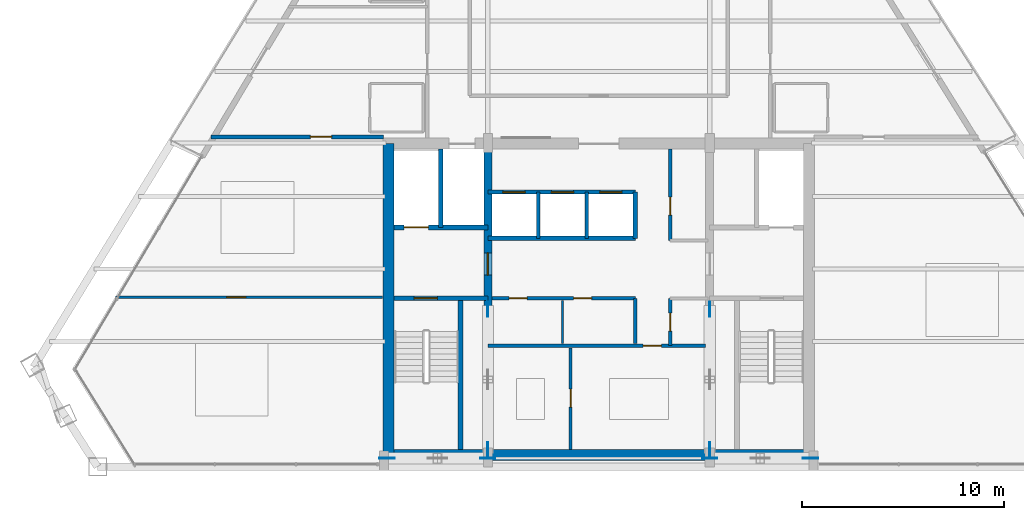
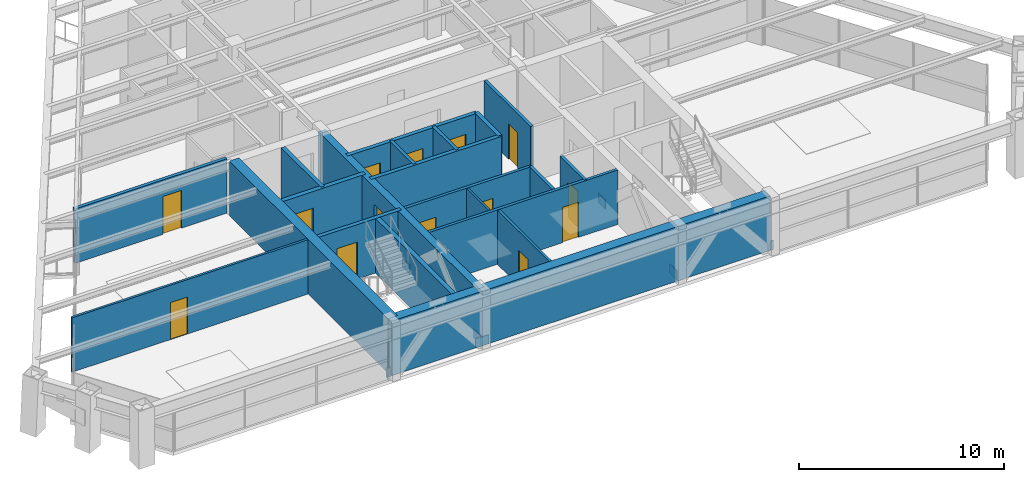
# One storey, part 8 of 12: 21 walls, 14 doors, 8 plates, 14 openings.
"""IFC4 building model written with IfcOpenShell, lengths in metres."""

from ifc_helpers import new_model, si_unit, direction, frame, frame_2d, origin, origin_2d, place, context, subcontext, project, spatial, rectangle, extrude, source, transform, mapped, material, layer, layer_set, type_object, type_shapes, element, fill, save


model = new_model("IFC4")

# Units and contexts
model_context = context("Model", 3, precision=1e-05, world=origin(), true_north=direction((0.0, 1.0)))
body_context = subcontext(model_context, "Body", "Model", "MODEL_VIEW")
ifc_project = project(units=[si_unit("LENGTHUNIT", "METRE"), si_unit("AREAUNIT", "SQUARE_METRE"), si_unit("VOLUMEUNIT", "CUBIC_METRE"), si_unit("PLANEANGLEUNIT", "RADIAN"), si_unit("MASSUNIT", "GRAM", prefix="KILO")], contexts=[model_context])

# Site, building, storey
site_placement = place(None, origin())
site = spatial("IfcSite", under=ifc_project, at=site_placement, CompositionType="ELEMENT")
building_placement = place(site_placement, origin())
building = spatial("IfcBuilding", under=site, at=building_placement, Name="Varnakhor Terracotta Tower", CompositionType="ELEMENT")
storey_placement = place(building_placement, frame((0.0, 0.0, 226.89990234375)))
storey = spatial("IfcBuildingStorey", under=building, at=storey_placement, Name="L58", CompositionType="ELEMENT", Elevation=226.89990234375)

# Plates
ifc_material_1 = material(Name="Steel S460", Category="steel")
ifc_layer_1 = layer(ifc_material_1, 0.050048828125, Name="Steel S460")
ifc_layer_set_1 = layer_set([ifc_layer_1], Name="Steel S460")
plate_type = type_object("IfcPlateType", Name="PLT-GUSSET-50", PredefinedType="USERDEFINED", material=ifc_layer_set_1)
shared_shape_1 = source(origin(), body_context, "Body", "SweptSolid", [
    extrude(rectangle(XDim=0.75, YDim=0.0400390625, at=origin_2d()), origin(), (0.0, 0.0, 1.0), 0.550048828125),
])
type_shapes(plate_type, [shared_shape_1])
for number, where, z_axis, x_axis, name in (
    (1, (-10.5, 0.419921875, -0.0947265625), (0.0, 0.0, 1.0), (1.0, 0.0, 0.0), "L58 Core Brace Embed Plate CSWA"),
    (2, (-5.5, 0.419921875, -0.0947265625), (0.0, 0.0, 1.0), (1.0, 0.0, 0.0), "L58 Core Brace Embed Plate CSWB"),
    (3, (5.5, 0.419921875, -0.0947265625), (0.0, 0.0, 1.0), (1.0, 0.0, 0.0), "L58 Core Brace Embed Plate CSEA"),
    (4, (10.5, 0.419921875, -0.0947265625), (0.0, 0.0, 1.0), (1.0, 0.0, 0.0), "L58 Core Brace Embed Plate CSEB"),
    (5, (-5.5, 0.85009765625, -0.0947265625), (0.0, 0.0, 1.0), (0.0, 1.0, 0.0), "L58 Core Brace Embed Plate CWWA"),
    (6, (-5.5, 7.800048828125, -0.0947265625), (0.0, 0.0, 1.0), (0.0, 1.0, 0.0), "L58 Core Brace Embed Plate CWWB"),
    (7, (5.5, 0.85009765625, -0.0947265625), (0.0, 0.0, 1.0), (0.0, 1.0, 0.0), "L58 Core Brace Embed Plate CWEA"),
    (8, (5.5, 7.800048828125, -0.0947265625), (0.0, 0.0, 1.0), (0.0, 1.0, 0.0), "L58 Core Brace Embed Plate CWEB"),
):
    element("IfcPlate", number, at=place(storey_placement, frame(where, z_axis=z_axis, x_axis=x_axis)), inside=storey, type_object=plate_type, Name=name, ObjectType="GUSSET PLATE", PredefinedType="USERDEFINED", context=body_context, shape_type="MappedRepresentation", body=[
        mapped(shared_shape_1, transform((0.0, 0.0, 0.0), scale=1.0)),
    ])

# Walls
ifc_material_2 = material(Name="Concrete C50/60", Category="concrete")
ifc_layer_2 = layer(ifc_material_2, 0.550048828125, Name="Concrete C50/60")
ifc_layer_set_2 = layer_set([ifc_layer_2], Name="Concrete C50/60")
wall_type_1 = type_object("IfcWallType", Name="WAL-CORE-550", PredefinedType="SHEAR", material=ifc_layer_set_2)
wall_1_placement = place(storey_placement, frame((-10.64990234375, 0.574951171875, 0.0), z_axis=(0.0, 0.0, 1.0), x_axis=(1.0, 0.0, 0.0)))
element("IfcWall", 9, at=wall_1_placement, inside=storey, type_object=wall_type_1, Name="L58 South Core Shear Wall", PredefinedType="SHEAR", context=body_context, shape_type="SweptSolid", body=[
    extrude(rectangle(XDim=21.2998046875, YDim=0.550048828125, at=frame_2d((10.64990234375, 0.0))), origin(), (0.0, 0.0, 1.0), 3.239990234375),
])
wall_2_placement = place(storey_placement, frame((-10.425048828125, 0.574951171875, 0.0), z_axis=(0.0, 0.0, 1.0), x_axis=(0.0, 1.0, 0.0)))
element("IfcWall", 10, at=wall_2_placement, inside=storey, type_object=wall_type_1, Name="L58 West Core Shear Wall", PredefinedType="SHEAR", context=body_context, shape_type="SweptSolid", body=[
    extrude(rectangle(XDim=15.449951171875, YDim=0.550048828125, at=frame_2d((7.72509765625, 0.0))), origin(), (0.0, 0.0, 1.0), 3.239990234375),
])

# Wall, opening, door
ifc_layer_3 = layer(ifc_material_2, 0.39990234375, Name="Concrete C50/60")
ifc_layer_set_3 = layer_set([ifc_layer_3], Name="Concrete C50/60")
wall_type_2 = type_object("IfcWallType", Name="WAL-CORE-WEB-400", PredefinedType="SHEAR", material=ifc_layer_set_3)
wall_3_placement = place(storey_placement, frame((-5.5, 0.574951171875, 0.0), z_axis=(0.0, 0.0, 1.0), x_axis=(0.0, 1.0, 0.0)))
wall_3 = element("IfcWall", 11, at=wall_3_placement, inside=storey, type_object=wall_type_2, Name="L58 West Core Web Shear Wall", PredefinedType="SHEAR", context=body_context, shape_type="SweptSolid", body=[
    extrude(rectangle(XDim=15.449951171875, YDim=0.39990234375, at=frame_2d((7.72509765625, 0.0))), origin(), (0.0, 0.0, 1.0), 3.239990234375),
])
opening_1_placement = place(wall_3_placement, frame((8.925048828125, 0.0, 0.0)))
opening_1 = element("IfcOpeningElement", 12, at=opening_1_placement, cuts=wall_3, Name="Opening DR-25", PredefinedType="OPENING", context=body_context, shape_type="SweptSolid", body=[
    extrude(rectangle(XDim=1.10009765625, YDim=2.199951171875, at=frame_2d((0.550048828125, 1.10009765625))), frame((0.0, 0.2099609375, 0.0), z_axis=(0.0, -1.0, 0.0), x_axis=(1.0, 0.0, 0.0)), (0.0, 0.0, 1.0), 0.419921875),
])
ifc_material_3 = material(Name="Firefighting Lobby Self-Closing Fire Door", Category="steel")
door_type_1 = type_object("IfcDoorType", Name="DR-FFL-1100X2200", OperationType="NOTDEFINED", PredefinedType="DOOR", material=ifc_material_3)
shared_shape_2 = source(origin(), body_context, "Body", "SweptSolid", [
    extrude(rectangle(XDim=1.10009765625, YDim=2.199951171875, at=frame_2d((0.550048828125, 1.10009765625))), frame((0.0, 0.02490234375, 0.0), z_axis=(0.0, -1.0, 0.0), x_axis=(1.0, 0.0, 0.0)), (0.0, 0.0, 1.0), 0.050048828125),
])
type_shapes(door_type_1, [shared_shape_2])
door_1_placement = place(opening_1_placement, origin())
door_1 = element("IfcDoor", 13, at=door_1_placement, inside=storey, type_object=door_type_1, Name="L58 West Firefighting Lobby Door", OperationType="SINGLE_SWING_RIGHT", OverallHeight=2.199951171875, OverallWidth=1.10009765625, PredefinedType="DOOR", context=body_context, shape_type="MappedRepresentation", body=[
    mapped(shared_shape_2, transform((0.0, 0.0, 0.0), scale=1.0)),
])
fill(opening_1, door_1)

ifc_material_4 = material(Name="Fire-Rated Gypsum Stud Partition", Category="gypsum")
ifc_layer_4 = layer(ifc_material_4, 0.18505859375, Name="Fire-Rated Gypsum Stud Partition")
ifc_layer_set_4 = layer_set([ifc_layer_4], Name="Fire-Rated Gypsum Stud Partition")
wall_type_3 = type_object("IfcWallType", Name="WAL-CORR-185", PredefinedType="PARTITIONING", material=ifc_layer_set_4)
wall_4_placement = place(storey_placement, frame((-19.236328125, 16.35009765625, 0.0), z_axis=(0.0, 0.0, 1.0), x_axis=(1.0, 0.0, 0.0)))
wall_4 = element("IfcWall", 14, at=wall_4_placement, inside=storey, type_object=wall_type_3, Name="L58 South West Guest Entry Wall", PredefinedType="PARTITIONING", context=body_context, shape_type="SweptSolid", body=[
    extrude(rectangle(XDim=8.556396484375, YDim=0.18505859375, at=frame_2d((4.2783203125, 0.0))), origin(), (0.0, 0.0, 1.0), 3.232177734375),
])
opening_2_placement = place(wall_4_placement, frame((4.9345703125, 0.0, 0.0)))
opening_2 = element("IfcOpeningElement", 15, at=opening_2_placement, cuts=wall_4, Name="Opening DR-95", PredefinedType="OPENING", context=body_context, shape_type="SweptSolid", body=[
    extrude(rectangle(XDim=1.050048828125, YDim=2.25, at=frame_2d((0.52490234375, 1.125))), frame((0.0, 0.1025390625, 0.0), z_axis=(0.0, -1.0, 0.0), x_axis=(1.0, 0.0, 0.0)), (0.0, 0.0, 1.0), 0.205078125),
])
ifc_material_5 = material(Name="Solid-Core Timber Tenant/Hotel Entrance Door", Category="wood")
door_type_2 = type_object("IfcDoorType", Name="DR-SUITE-1050X2250", OperationType="NOTDEFINED", PredefinedType="DOOR", material=ifc_material_5)
shared_shape_3 = source(origin(), body_context, "Body", "SweptSolid", [
    extrude(rectangle(XDim=1.050048828125, YDim=2.25, at=frame_2d((0.52490234375, 1.125))), frame((0.0, 0.02490234375, 0.0), z_axis=(0.0, -1.0, 0.0), x_axis=(1.0, 0.0, 0.0)), (0.0, 0.0, 1.0), 0.050048828125),
])
type_shapes(door_type_2, [shared_shape_3])
door_2_placement = place(opening_2_placement, origin())
door_2 = element("IfcDoor", 16, at=door_2_placement, inside=storey, type_object=door_type_2, Name="L58 SW Suite Entry Door", OperationType="SINGLE_SWING_LEFT", OverallHeight=2.25, OverallWidth=1.050048828125, PredefinedType="DOOR", context=body_context, shape_type="MappedRepresentation", body=[
    mapped(shared_shape_3, transform((0.0, 0.0, 0.0), scale=1.0)),
])
fill(opening_2, door_2)

ifc_material_6 = material(Name="Concrete C40/50", Category="concrete")
ifc_layer_5 = layer(ifc_material_6, 0.219970703125, Name="Concrete C40/50")
ifc_layer_set_5 = layer_set([ifc_layer_5], Name="Concrete C40/50")
wall_type_4 = type_object("IfcWallType", Name="WAL-FFLOBBY-220", PredefinedType="SOLIDWALL", material=ifc_layer_set_5)
wall_5_placement = place(storey_placement, frame((-5.5, 8.35009765625, 0.0), z_axis=(0.0, 0.0, 1.0), x_axis=(-1.0, 0.0, 0.0)))
wall_5 = element("IfcWall", 17, at=wall_5_placement, inside=storey, type_object=wall_type_4, Name="L58 West Firefighting Lobby Stair Wall", PredefinedType="SOLIDWALL", context=body_context, shape_type="SweptSolid", body=[
    extrude(rectangle(XDim=4.64990234375, YDim=0.219970703125, at=frame_2d((2.324951171875, 0.0))), origin(), (0.0, 0.0, 1.0), 3.239990234375),
])
opening_3_placement = place(wall_5_placement, frame((2.5, 0.0, 0.0)))
opening_3 = element("IfcOpeningElement", 18, at=opening_3_placement, cuts=wall_5, Name="Opening DR-34", PredefinedType="OPENING", context=body_context, shape_type="SweptSolid", body=[
    extrude(rectangle(XDim=1.14990234375, YDim=2.199951171875, at=frame_2d((0.574951171875, 1.10009765625))), frame((0.0, 0.1201171875, 0.0), z_axis=(0.0, -1.0, 0.0), x_axis=(1.0, 0.0, 0.0)), (0.0, 0.0, 1.0), 0.239990234375),
])
ifc_material_7 = material(Name="Self-Closing Smoke-Sealed Steel Fire Door", Category="steel")
door_type_3 = type_object("IfcDoorType", Name="DR-STAIR-1150X2200", OperationType="NOTDEFINED", PredefinedType="DOOR", material=ifc_material_7)
shared_shape_4 = source(origin(), body_context, "Body", "SweptSolid", [
    extrude(rectangle(XDim=1.14990234375, YDim=2.199951171875, at=frame_2d((0.574951171875, 1.10009765625))), frame((0.0, 0.02490234375, 0.0), z_axis=(0.0, -1.0, 0.0), x_axis=(1.0, 0.0, 0.0)), (0.0, 0.0, 1.0), 0.050048828125),
])
type_shapes(door_type_3, [shared_shape_4])
door_3_placement = place(opening_3_placement, origin())
door_3 = element("IfcDoor", 19, at=door_3_placement, inside=storey, type_object=door_type_3, Name="L58 Exit Stair ST-1 Fire Door", OperationType="SINGLE_SWING_LEFT", OverallHeight=2.199951171875, OverallWidth=1.14990234375, PredefinedType="DOOR", context=body_context, shape_type="MappedRepresentation", body=[
    mapped(shared_shape_4, transform((0.0, 0.0, 0.0), scale=1.0)),
])
fill(opening_3, door_3)

ifc_material_8 = material(Name="Acoustic Hotel Room Partition", Category="gypsum")
ifc_layer_6 = layer(ifc_material_8, 0.1298828125, Name="Acoustic Hotel Room Partition")
ifc_layer_set_6 = layer_set([ifc_layer_6], Name="Acoustic Hotel Room Partition")
wall_type_5 = type_object("IfcWallType", Name="WAL-PART-130", PredefinedType="PARTITIONING", material=ifc_layer_set_6)
wall_6_placement = place(storey_placement, frame((-23.974365234375, 8.39990234375, 0.0), z_axis=(0.0, 0.0, 1.0), x_axis=(1.0, 0.0, 0.0)))
wall_6 = element("IfcWall", 20, at=wall_6_placement, inside=storey, type_object=wall_type_5, Name="L58 SW Key Split 1", PredefinedType="PARTITIONING", context=body_context, shape_type="SweptSolid", body=[
    extrude(rectangle(XDim=13.25439453125, YDim=0.1298828125, at=frame_2d((6.627197265625, 0.0))), origin(), (0.0, 0.0, 1.0), 3.232177734375),
])
opening_4_placement = place(wall_6_placement, frame((5.5234375, 0.0, 0.0)))
opening_4 = element("IfcOpeningElement", 21, at=opening_4_placement, cuts=wall_6, Name="Opening DR-94", PredefinedType="OPENING", context=body_context, shape_type="SweptSolid", body=[
    extrude(rectangle(XDim=0.949951171875, YDim=2.199951171875, at=frame_2d((0.47509765625, 1.10009765625))), frame((0.0, 0.074951171875, 0.0), z_axis=(0.0, -1.0, 0.0), x_axis=(1.0, 0.0, 0.0)), (0.0, 0.0, 1.0), 0.14990234375),
])
ifc_material_9 = material(Name="Acoustic Glazed-Vision Timber Office Door", Category="wood")
door_type_4 = type_object("IfcDoorType", Name="DR-OFF-950X2200", OperationType="NOTDEFINED", PredefinedType="DOOR", material=ifc_material_9)
shared_shape_5 = source(origin(), body_context, "Body", "SweptSolid", [
    extrude(rectangle(XDim=0.949951171875, YDim=2.199951171875, at=frame_2d((0.47509765625, 1.10009765625))), frame((0.0, 0.02490234375, 0.0), z_axis=(0.0, -1.0, 0.0), x_axis=(1.0, 0.0, 0.0)), (0.0, 0.0, 1.0), 0.050048828125),
])
type_shapes(door_type_4, [shared_shape_5])
door_4_placement = place(opening_4_placement, origin())
door_4 = element("IfcDoor", 22, at=door_4_placement, inside=storey, type_object=door_type_4, Name="L58 SW Suite Connect Door 1", OperationType="SINGLE_SWING_LEFT", OverallHeight=2.199951171875, OverallWidth=0.949951171875, PredefinedType="DOOR", context=body_context, shape_type="MappedRepresentation", body=[
    mapped(shared_shape_5, transform((0.0, 0.0, 0.0), scale=1.0)),
])
fill(opening_4, door_4)

# Walls
ifc_layer_7 = layer(ifc_material_6, 0.179931640625, Name="Concrete C40/50")
ifc_layer_set_7 = layer_set([ifc_layer_7], Name="Concrete C40/50")
wall_type_6 = type_object("IfcWallType", Name="WAL-SHAFT-180", PredefinedType="SOLIDWALL", material=ifc_layer_set_7)
for number, where, z_axis, x_axis, name in (
    (23, (-3.0, 11.320068359375, 0.0), (0.0, 0.0, 1.0), (0.0, 1.0, 0.0), "L58 PL-3A Divider"),
    (24, (-0.60009765625, 11.320068359375, 0.0), (0.0, 0.0, 1.0), (0.0, 1.0, 0.0), "L58 PL-3B Divider"),
):
    element("IfcWall", number, at=place(storey_placement, frame(where, z_axis=z_axis, x_axis=x_axis)), inside=storey, type_object=wall_type_6, Name=name, PredefinedType="SOLIDWALL", context=body_context, shape_type="SweptSolid", body=[
        extrude(rectangle(XDim=2.300048828125, YDim=0.179931640625, at=frame_2d((1.14990234375, 0.0))), origin(), (0.0, 0.0, 1.0), 3.239990234375),
    ])
ifc_layer_8 = layer(ifc_material_6, 0.219970703125, Name="Concrete C40/50")
ifc_layer_set_8 = layer_set([ifc_layer_8], Name="Concrete C40/50")
wall_type_7 = type_object("IfcWallType", Name="WAL-SHAFT-220", PredefinedType="SOLIDWALL", material=ifc_layer_set_8)
wall_7_placement = place(storey_placement, frame((-7.840087890625, 11.8701171875, 0.0), z_axis=(0.0, 0.0, 1.0), x_axis=(0.0, 1.0, 0.0)))
element("IfcWall", 25, at=wall_7_placement, inside=storey, type_object=wall_type_7, Name="L58 Lift FFL-1 and SVL-1 Divider Wall", PredefinedType="SOLIDWALL", context=body_context, shape_type="SweptSolid", body=[
    extrude(rectangle(XDim=3.8798828125, YDim=0.219970703125, at=frame_2d((1.93994140625, 0.0))), origin(), (0.0, 0.0, 1.0), 3.239990234375),
])
wall_8_placement = place(storey_placement, frame((-5.5, 11.320068359375, 0.0), z_axis=(0.0, 0.0, 1.0), x_axis=(1.0, 0.0, 0.0)))
element("IfcWall", 26, at=wall_8_placement, inside=storey, type_object=wall_type_7, Name="L58 Bank 3 South Shaft Wall", PredefinedType="SOLIDWALL", context=body_context, shape_type="SweptSolid", body=[
    extrude(rectangle(XDim=7.320068359375, YDim=0.219970703125, at=frame_2d((3.66015625, 0.0))), origin(), (0.0, 0.0, 1.0), 3.239990234375),
])

# Wall, openings, doors
wall_9_placement = place(storey_placement, frame((-5.5, 13.6201171875, 0.0), z_axis=(0.0, 0.0, 1.0), x_axis=(1.0, 0.0, 0.0)))
wall_9 = element("IfcWall", 27, at=wall_9_placement, inside=storey, type_object=wall_type_7, Name="L58 Bank 3 North Shaft Wall", PredefinedType="SOLIDWALL", context=body_context, shape_type="SweptSolid", body=[
    extrude(rectangle(XDim=7.320068359375, YDim=0.219970703125, at=frame_2d((3.66015625, 0.0))), origin(), (0.0, 0.0, 1.0), 3.239990234375),
])
opening_5_placement = place(wall_9_placement, frame((0.75, 0.0, 0.0)))
opening_5 = element("IfcOpeningElement", 28, at=opening_5_placement, cuts=wall_9, Name="Opening LD-01", PredefinedType="OPENING", context=body_context, shape_type="SweptSolid", body=[
    extrude(rectangle(XDim=1.10009765625, YDim=2.199951171875, at=frame_2d((0.550048828125, 1.10009765625))), frame((0.0, 0.1201171875, 0.0), z_axis=(0.0, -1.0, 0.0), x_axis=(1.0, 0.0, 0.0)), (0.0, 0.0, 1.0), 0.239990234375),
])
opening_6_placement = place(wall_9_placement, frame((3.14990234375, 0.0, 0.0)))
opening_6 = element("IfcOpeningElement", 29, at=opening_6_placement, cuts=wall_9, Name="Opening LD-01", PredefinedType="OPENING", context=body_context, shape_type="SweptSolid", body=[
    extrude(rectangle(XDim=1.10009765625, YDim=2.199951171875, at=frame_2d((0.550048828125, 1.10009765625))), frame((0.0, 0.1201171875, 0.0), z_axis=(0.0, -1.0, 0.0), x_axis=(1.0, 0.0, 0.0)), (0.0, 0.0, 1.0), 0.239990234375),
])
opening_7_placement = place(wall_9_placement, frame((5.550048828125, 0.0, 0.0)))
opening_7 = element("IfcOpeningElement", 30, at=opening_7_placement, cuts=wall_9, Name="Opening LD-01", PredefinedType="OPENING", context=body_context, shape_type="SweptSolid", body=[
    extrude(rectangle(XDim=1.10009765625, YDim=2.199951171875, at=frame_2d((0.550048828125, 1.10009765625))), frame((0.0, 0.1201171875, 0.0), z_axis=(0.0, -1.0, 0.0), x_axis=(1.0, 0.0, 0.0)), (0.0, 0.0, 1.0), 0.239990234375),
])
ifc_material_10 = material(Name="Brushed Stainless Steel Sliding Lift Landing Door", Category="steel")
door_type_5 = type_object("IfcDoorType", Name="LD-PASS-1100X2200", OperationType="NOTDEFINED", PredefinedType="DOOR", material=ifc_material_10)
shared_shape_6 = source(origin(), body_context, "Body", "SweptSolid", [
    extrude(rectangle(XDim=1.10009765625, YDim=2.199951171875, at=frame_2d((0.550048828125, 1.10009765625))), frame((0.0, 0.02490234375, 0.0), z_axis=(0.0, -1.0, 0.0), x_axis=(1.0, 0.0, 0.0)), (0.0, 0.0, 1.0), 0.050048828125),
])
type_shapes(door_type_5, [shared_shape_6])
door_5_placement = place(opening_5_placement, origin())
door_5 = element("IfcDoor", 31, at=door_5_placement, inside=storey, type_object=door_type_5, Name="L58 Passenger Lift PL-3A Landing Door", OperationType="SLIDING_TO_RIGHT", OverallHeight=2.199951171875, OverallWidth=1.10009765625, PredefinedType="DOOR", context=body_context, shape_type="MappedRepresentation", body=[
    mapped(shared_shape_6, transform((0.0, 0.0, 0.0), scale=1.0)),
])
fill(opening_5, door_5)
door_6_placement = place(opening_6_placement, origin())
door_6 = element("IfcDoor", 32, at=door_6_placement, inside=storey, type_object=door_type_5, Name="L58 Passenger Lift PL-3B Landing Door", OperationType="SLIDING_TO_RIGHT", OverallHeight=2.199951171875, OverallWidth=1.10009765625, PredefinedType="DOOR", context=body_context, shape_type="MappedRepresentation", body=[
    mapped(shared_shape_6, transform((0.0, 0.0, 0.0), scale=1.0)),
])
fill(opening_6, door_6)
door_7_placement = place(opening_7_placement, origin())
door_7 = element("IfcDoor", 33, at=door_7_placement, inside=storey, type_object=door_type_5, Name="L58 Passenger Lift PL-3C Landing Door", OperationType="SLIDING_TO_RIGHT", OverallHeight=2.199951171875, OverallWidth=1.10009765625, PredefinedType="DOOR", context=body_context, shape_type="MappedRepresentation", body=[
    mapped(shared_shape_6, transform((0.0, 0.0, 0.0), scale=1.0)),
])
fill(opening_7, door_7)

# Walls
wall_10_placement = place(storey_placement, frame((1.800048828125, 11.320068359375, 0.0), z_axis=(0.0, 0.0, 1.0), x_axis=(0.0, 1.0, 0.0)))
element("IfcWall", 34, at=wall_10_placement, inside=storey, type_object=wall_type_7, Name="L58 Bank 3 East Shaft Wall", PredefinedType="SOLIDWALL", context=body_context, shape_type="SweptSolid", body=[
    extrude(rectangle(XDim=2.300048828125, YDim=0.219970703125, at=frame_2d((1.14990234375, 0.0))), origin(), (0.0, 0.0, 1.0), 3.239990234375),
])
ifc_layer_9 = layer(ifc_material_6, 0.25, Name="Concrete C40/50")
ifc_layer_set_9 = layer_set([ifc_layer_9], Name="Concrete C40/50")
wall_type_8 = type_object("IfcWallType", Name="WAL-SHAFT-250", PredefinedType="SOLIDWALL", material=ifc_layer_set_9)
wall_11_placement = place(storey_placement, frame((-6.85009765625, 0.85009765625, 0.0), z_axis=(0.0, 0.0, 1.0), x_axis=(0.0, 1.0, 0.0)))
element("IfcWall", 35, at=wall_11_placement, inside=storey, type_object=wall_type_8, Name="L58 Stair ST-1 Bearing Shaft Wall", PredefinedType="SOLIDWALL", context=body_context, shape_type="SweptSolid", body=[
    extrude(rectangle(XDim=7.5, YDim=0.25, at=frame_2d((3.75, 0.0))), origin(), (0.0, 0.0, 1.0), 3.239990234375),
])

# Wall, opening, door
wall_12_placement = place(storey_placement, frame((-5.5, 11.8701171875, 0.0), z_axis=(0.0, 0.0, 1.0), x_axis=(-1.0, 0.0, 0.0)))
wall_12 = element("IfcWall", 36, at=wall_12_placement, inside=storey, type_object=wall_type_8, Name="L58 Lift FFL-1 Shaft Front Wall", PredefinedType="SOLIDWALL", context=body_context, shape_type="SweptSolid", body=[
    extrude(rectangle(XDim=4.64990234375, YDim=0.25, at=frame_2d((2.324951171875, 0.0))), origin(), (0.0, 0.0, 1.0), 3.239990234375),
])
opening_8_placement = place(wall_12_placement, frame((2.949951171875, 0.0, 0.0)))
opening_8 = element("IfcOpeningElement", 37, at=opening_8_placement, cuts=wall_12, Name="Opening LD-02", PredefinedType="OPENING", context=body_context, shape_type="SweptSolid", body=[
    extrude(rectangle(XDim=1.199951171875, YDim=2.25, at=frame_2d((0.60009765625, 1.125))), frame((0.0, 0.135009765625, 0.0), z_axis=(0.0, -1.0, 0.0), x_axis=(1.0, 0.0, 0.0)), (0.0, 0.0, 1.0), 0.27001953125),
])
ifc_material_11 = material(Name="Firefighting Stretcher Sliding Lift Landing Door", Category="steel")
door_type_6 = type_object("IfcDoorType", Name="LD-FFL-1200X2250", OperationType="NOTDEFINED", PredefinedType="DOOR", material=ifc_material_11)
shared_shape_7 = source(origin(), body_context, "Body", "SweptSolid", [
    extrude(rectangle(XDim=1.199951171875, YDim=2.25, at=frame_2d((0.60009765625, 1.125))), frame((0.0, 0.02490234375, 0.0), z_axis=(0.0, -1.0, 0.0), x_axis=(1.0, 0.0, 0.0)), (0.0, 0.0, 1.0), 0.050048828125),
])
type_shapes(door_type_6, [shared_shape_7])
door_8_placement = place(opening_8_placement, origin())
door_8 = element("IfcDoor", 38, at=door_8_placement, inside=storey, type_object=door_type_6, Name="L58 Firefighting Lift FFL-1 Landing Door", OperationType="SLIDING_TO_LEFT", OverallHeight=2.25, OverallWidth=1.199951171875, PredefinedType="DOOR", context=body_context, shape_type="MappedRepresentation", body=[
    mapped(shared_shape_7, transform((0.0, 0.0, 0.0), scale=1.0)),
])
fill(opening_8, door_8)

# Wall
ifc_material_12 = material(Name="Acoustic Fire-Rated Partition", Category="gypsum")
ifc_layer_10 = layer(ifc_material_12, 0.114990234375, Name="Acoustic Fire-Rated Partition")
ifc_layer_set_10 = layer_set([ifc_layer_10], Name="Acoustic Fire-Rated Partition")
wall_type_9 = type_object("IfcWallType", Name="WAL-TENANCY-115", PredefinedType="PARTITIONING", material=ifc_layer_set_10)
wall_13_placement = place(storey_placement, frame((-1.800048828125, 6.10009765625, 0.0), z_axis=(0.0, 0.0, 1.0), x_axis=(0.0, 1.0, 0.0)))
element("IfcWall", 39, at=wall_13_placement, inside=storey, type_object=wall_type_9, Name="L58 Reclaimed Mid-Core Split Wall", PredefinedType="PARTITIONING", context=body_context, shape_type="SweptSolid", body=[
    extrude(rectangle(XDim=2.14990234375, YDim=0.114990234375, at=frame_2d((1.074951171875, 0.0))), origin(), (0.0, 0.0, 1.0), 3.232177734375),
])

# Wall, opening, door
ifc_layer_11 = layer(ifc_material_12, 0.139892578125, Name="Acoustic Fire-Rated Partition")
ifc_layer_set_11 = layer_set([ifc_layer_11], Name="Acoustic Fire-Rated Partition")
wall_type_10 = type_object("IfcWallType", Name="WAL-TENANCY-140", PredefinedType="PARTITIONING", material=ifc_layer_set_11)
wall_14_placement = place(storey_placement, frame((-1.39990234375, 0.85009765625, 0.0), z_axis=(0.0, 0.0, 1.0), x_axis=(0.0, 1.0, 0.0)))
wall_14 = element("IfcWall", 40, at=wall_14_placement, inside=storey, type_object=wall_type_10, Name="L58 Reclaimed Core Bay Split Wall", PredefinedType="PARTITIONING", context=body_context, shape_type="SweptSolid", body=[
    extrude(rectangle(XDim=5.02978515625, YDim=0.139892578125, at=frame_2d((2.514892578125, 0.0))), origin(), (0.0, 0.0, 1.0), 3.232177734375),
])
opening_9_placement = place(wall_14_placement, frame((2.10009765625, 0.0, 0.0)))
opening_9 = element("IfcOpeningElement", 41, at=opening_9_placement, cuts=wall_14, Name="Opening DR-67", PredefinedType="OPENING", context=body_context, shape_type="SweptSolid", body=[
    extrude(rectangle(XDim=0.89990234375, YDim=2.10009765625, at=frame_2d((0.449951171875, 1.050048828125))), frame((0.0, 0.080078125, 0.0), z_axis=(0.0, -1.0, 0.0), x_axis=(1.0, 0.0, 0.0)), (0.0, 0.0, 1.0), 0.159912109375),
])
ifc_material_13 = material(Name="Steel Service Riser Fire Door", Category="steel")
door_type_7 = type_object("IfcDoorType", Name="DR-RISER-900X2100", OperationType="NOTDEFINED", PredefinedType="DOOR", material=ifc_material_13)
shared_shape_8 = source(origin(), body_context, "Body", "SweptSolid", [
    extrude(rectangle(XDim=0.89990234375, YDim=2.10009765625, at=frame_2d((0.449951171875, 1.050048828125))), frame((0.0, 0.02490234375, 0.0), z_axis=(0.0, -1.0, 0.0), x_axis=(1.0, 0.0, 0.0)), (0.0, 0.0, 1.0), 0.050048828125),
])
type_shapes(door_type_7, [shared_shape_8])
door_9_placement = place(opening_9_placement, origin())
door_9 = element("IfcDoor", 42, at=door_9_placement, inside=storey, type_object=door_type_7, Name="L58 Core Inner Service Door", OperationType="SINGLE_SWING_RIGHT", OverallHeight=2.10009765625, OverallWidth=0.89990234375, PredefinedType="DOOR", context=body_context, shape_type="MappedRepresentation", body=[
    mapped(shared_shape_8, transform((0.0, 0.0, 0.0), scale=1.0)),
])
fill(opening_9, door_9)

ifc_layer_12 = layer(ifc_material_12, 0.1650390625, Name="Acoustic Fire-Rated Partition")
ifc_layer_set_12 = layer_set([ifc_layer_12], Name="Acoustic Fire-Rated Partition")
wall_type_11 = type_object("IfcWallType", Name="WAL-TENANCY-165", PredefinedType="PARTITIONING", material=ifc_layer_set_12)
wall_15_placement = place(storey_placement, frame((-5.5, 6.0, 0.0), z_axis=(0.0, 0.0, 1.0), x_axis=(1.0, 0.0, 0.0)))
wall_15 = element("IfcWall", 43, at=wall_15_placement, inside=storey, type_object=wall_type_11, Name="L58 Reclaimed Core Bay North Rated Wall", PredefinedType="PARTITIONING", context=body_context, shape_type="SweptSolid", body=[
    extrude(rectangle(XDim=10.800048828125, YDim=0.1650390625, at=frame_2d((5.39990234375, 0.0))), origin(), (0.0, 0.0, 1.0), 3.232177734375),
])
opening_10_placement = place(wall_15_placement, frame((7.699951171875, 0.0, 0.0)))
opening_10 = element("IfcOpeningElement", 44, at=opening_10_placement, cuts=wall_15, Name="Opening DR-67", PredefinedType="OPENING", context=body_context, shape_type="SweptSolid", body=[
    extrude(rectangle(XDim=0.89990234375, YDim=2.10009765625, at=frame_2d((0.449951171875, 1.050048828125))), frame((0.0, 0.092529296875, 0.0), z_axis=(0.0, -1.0, 0.0), x_axis=(1.0, 0.0, 0.0)), (0.0, 0.0, 1.0), 0.18505859375),
])
door_10_placement = place(opening_10_placement, origin())
door_10 = element("IfcDoor", 45, at=door_10_placement, inside=storey, type_object=door_type_7, Name="L58 Core Reclaimed Suite Door", OperationType="SINGLE_SWING_LEFT", OverallHeight=2.10009765625, OverallWidth=0.89990234375, PredefinedType="DOOR", context=body_context, shape_type="MappedRepresentation", body=[
    mapped(shared_shape_8, transform((0.0, 0.0, 0.0), scale=1.0)),
])
fill(opening_10, door_10)

wall_16_placement = place(storey_placement, frame((3.5400390625, 6.0, 0.0), z_axis=(0.0, 0.0, 1.0), x_axis=(0.0, 1.0, 0.0)))
wall_16 = element("IfcWall", 46, at=wall_16_placement, inside=storey, type_object=wall_type_11, Name="L58 Accessible WC Rated Wall", PredefinedType="PARTITIONING", context=body_context, shape_type="SweptSolid", body=[
    extrude(rectangle(XDim=2.340087890625, YDim=0.1650390625, at=frame_2d((1.169921875, 0.0))), origin(), (0.0, 0.0, 1.0), 3.232177734375),
])
opening_11_placement = place(wall_16_placement, frame((0.719970703125, 0.0, 0.0)))
opening_11 = element("IfcOpeningElement", 47, at=opening_11_placement, cuts=wall_16, Name="Opening DR-67", PredefinedType="OPENING", context=body_context, shape_type="SweptSolid", body=[
    extrude(rectangle(XDim=0.89990234375, YDim=2.10009765625, at=frame_2d((0.449951171875, 1.050048828125))), frame((0.0, 0.092529296875, 0.0), z_axis=(0.0, -1.0, 0.0), x_axis=(1.0, 0.0, 0.0)), (0.0, 0.0, 1.0), 0.18505859375),
])
door_11_placement = place(opening_11_placement, origin())
door_11 = element("IfcDoor", 48, at=door_11_placement, inside=storey, type_object=door_type_7, Name="L58 Accessible WC Door", OperationType="SINGLE_SWING_LEFT", OverallHeight=2.10009765625, OverallWidth=0.89990234375, PredefinedType="DOOR", context=body_context, shape_type="MappedRepresentation", body=[
    mapped(shared_shape_8, transform((0.0, 0.0, 0.0), scale=1.0)),
])
fill(opening_11, door_11)

# Wall, openings, doors
wall_17_placement = place(storey_placement, frame((-5.300048828125, 8.35009765625, 0.0), z_axis=(0.0, 0.0, 1.0), x_axis=(1.0, 0.0, 0.0)))
wall_17 = element("IfcWall", 49, at=wall_17_placement, inside=storey, type_object=wall_type_11, Name="L58 Reclaimed Mid-Core North Wall", PredefinedType="PARTITIONING", context=body_context, shape_type="SweptSolid", body=[
    extrude(rectangle(XDim=7.1201171875, YDim=0.1650390625, at=frame_2d((3.56005859375, 0.0))), origin(), (0.0, 0.0, 1.0), 3.232177734375),
])
opening_12_placement = place(wall_17_placement, frame((0.85009765625, 0.0, 0.0)))
opening_12 = element("IfcOpeningElement", 50, at=opening_12_placement, cuts=wall_17, Name="Opening DR-67", PredefinedType="OPENING", context=body_context, shape_type="SweptSolid", body=[
    extrude(rectangle(XDim=0.89990234375, YDim=2.10009765625, at=frame_2d((0.449951171875, 1.050048828125))), frame((0.0, 0.092529296875, 0.0), z_axis=(0.0, -1.0, 0.0), x_axis=(1.0, 0.0, 0.0)), (0.0, 0.0, 1.0), 0.18505859375),
])
opening_13_placement = place(wall_17_placement, frame((4.050048828125, 0.0, 0.0)))
opening_13 = element("IfcOpeningElement", 51, at=opening_13_placement, cuts=wall_17, Name="Opening DR-67", PredefinedType="OPENING", context=body_context, shape_type="SweptSolid", body=[
    extrude(rectangle(XDim=0.89990234375, YDim=2.10009765625, at=frame_2d((0.449951171875, 1.050048828125))), frame((0.0, 0.092529296875, 0.0), z_axis=(0.0, -1.0, 0.0), x_axis=(1.0, 0.0, 0.0)), (0.0, 0.0, 1.0), 0.18505859375),
])
door_12_placement = place(opening_12_placement, origin())
door_12 = element("IfcDoor", 52, at=door_12_placement, inside=storey, type_object=door_type_7, Name="L58 Core West Restroom Door", OperationType="SINGLE_SWING_RIGHT", OverallHeight=2.10009765625, OverallWidth=0.89990234375, PredefinedType="DOOR", context=body_context, shape_type="MappedRepresentation", body=[
    mapped(shared_shape_8, transform((0.0, 0.0, 0.0), scale=1.0)),
])
fill(opening_12, door_12)
door_13_placement = place(opening_13_placement, origin())
door_13 = element("IfcDoor", 53, at=door_13_placement, inside=storey, type_object=door_type_7, Name="L58 Core East Restroom Door", OperationType="SINGLE_SWING_LEFT", OverallHeight=2.10009765625, OverallWidth=0.89990234375, PredefinedType="DOOR", context=body_context, shape_type="MappedRepresentation", body=[
    mapped(shared_shape_8, transform((0.0, 0.0, 0.0), scale=1.0)),
])
fill(opening_13, door_13)

# Wall
wall_18_placement = place(storey_placement, frame((1.800048828125, 6.10009765625, 0.0), z_axis=(0.0, 0.0, 1.0), x_axis=(0.0, 1.0, 0.0)))
element("IfcWall", 54, at=wall_18_placement, inside=storey, type_object=wall_type_11, Name="L58 Reclaimed Mid-Core East Wall", PredefinedType="PARTITIONING", context=body_context, shape_type="SweptSolid", body=[
    extrude(rectangle(XDim=2.25, YDim=0.1650390625, at=frame_2d((1.125, 0.0))), origin(), (0.0, 0.0, 1.0), 3.232177734375),
])

# Wall, opening, door
wall_19_placement = place(storey_placement, frame((3.5400390625, 11.219970703125, 0.0), z_axis=(0.0, 0.0, 1.0), x_axis=(0.0, 1.0, 0.0)))
wall_19 = element("IfcWall", 55, at=wall_19_placement, inside=storey, type_object=wall_type_11, Name="L58 Restroom Corridor Wall", PredefinedType="PARTITIONING", context=body_context, shape_type="SweptSolid", body=[
    extrude(rectangle(XDim=4.530029296875, YDim=0.1650390625, at=frame_2d((2.26513671875, 0.0))), origin(), (0.0, 0.0, 1.0), 3.232177734375),
])
opening_14_placement = place(wall_19_placement, frame((1.25, 0.0, 0.0)))
opening_14 = element("IfcOpeningElement", 56, at=opening_14_placement, cuts=wall_19, Name="Opening DR-67", PredefinedType="OPENING", context=body_context, shape_type="SweptSolid", body=[
    extrude(rectangle(XDim=0.89990234375, YDim=2.10009765625, at=frame_2d((0.449951171875, 1.050048828125))), frame((0.0, 0.092529296875, 0.0), z_axis=(0.0, -1.0, 0.0), x_axis=(1.0, 0.0, 0.0)), (0.0, 0.0, 1.0), 0.18505859375),
])
door_14_placement = place(opening_14_placement, origin())
door_14 = element("IfcDoor", 57, at=door_14_placement, inside=storey, type_object=door_type_7, Name="L58 Female WC Door", OperationType="SINGLE_SWING_RIGHT", OverallHeight=2.10009765625, OverallWidth=0.89990234375, PredefinedType="DOOR", context=body_context, shape_type="MappedRepresentation", body=[
    mapped(shared_shape_8, transform((0.0, 0.0, 0.0), scale=1.0)),
])
fill(opening_14, door_14)

save(model, "model.ifc")
